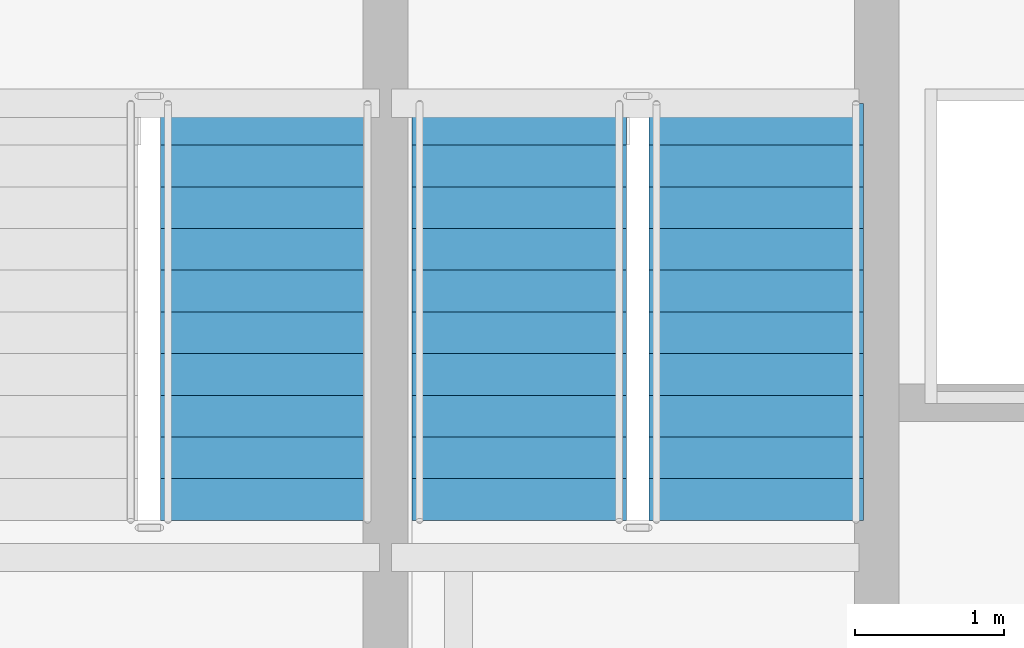
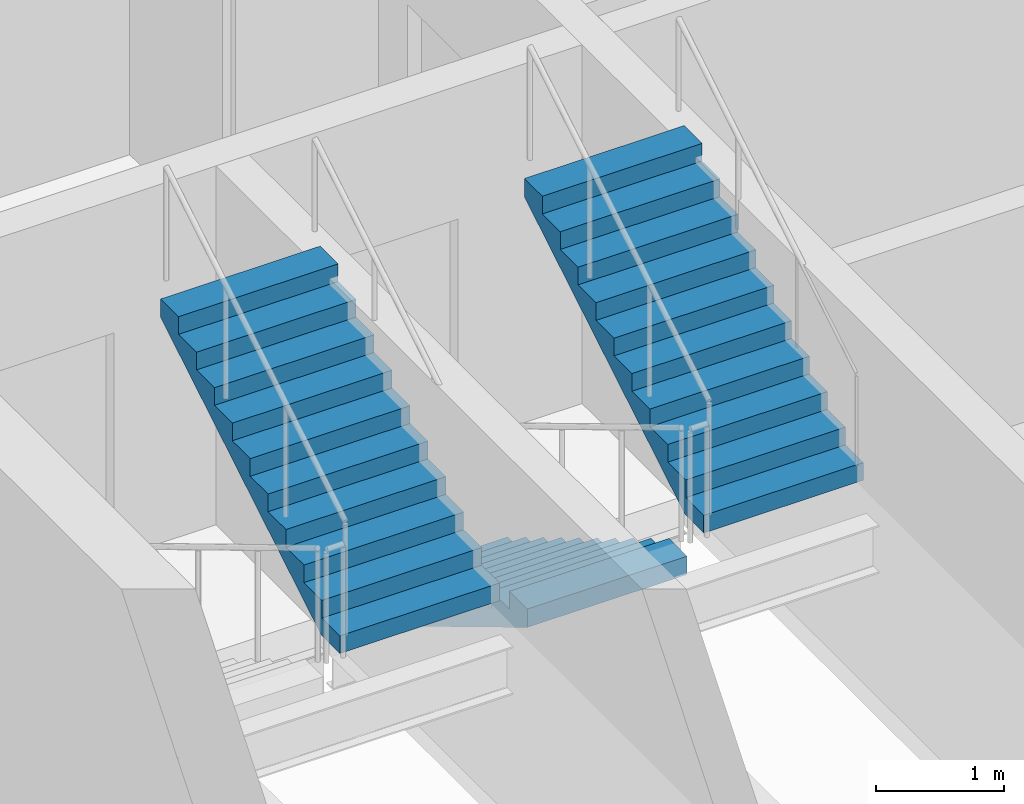
# One storey, part 24 of 29: 3 stair flights, 2 elements without a shape of their own.
"""IFC4 building model written with IfcOpenShell, lengths in metres."""

from ifc_helpers import new_model, si_unit, direction, frame, origin, place, context, subcontext, project, spatial, polyline, outline, extrude, material, layer, layer_set, type_object, element, aggregate, save


model = new_model("IFC4")

# Units and contexts
model_context = context("Model", 3, precision=1e-05, world=origin(), true_north=direction((0.0, 1.0)))
body_context = subcontext(model_context, "Body", "Model", "MODEL_VIEW")
ifc_project = project(units=[si_unit("LENGTHUNIT", "METRE"), si_unit("AREAUNIT", "SQUARE_METRE"), si_unit("VOLUMEUNIT", "CUBIC_METRE"), si_unit("PLANEANGLEUNIT", "RADIAN"), si_unit("MASSUNIT", "GRAM", prefix="KILO")], contexts=[model_context])

# Site, building, storey
site_placement = place(None, origin())
site = spatial("IfcSite", under=ifc_project, at=site_placement, CompositionType="ELEMENT")
building_placement = place(site_placement, origin())
building = spatial("IfcBuilding", under=site, at=building_placement, Name="Solvaryn Broadcast Tower", CompositionType="ELEMENT")
storey_placement = place(building_placement, frame((0.0, 0.0, 139.60009765625)))
storey = spatial("IfcBuildingStorey", under=building, at=storey_placement, Name="L34", CompositionType="ELEMENT", Elevation=139.60009765625)

# Stair, stair flight
ifc_material_1 = material(Name="Concrete f'c 60 MPa", Category="concrete")
stair_type = type_object("IfcStairType", Name="ST-CORE", PredefinedType="HALF_TURN_STAIR", material=ifc_material_1)
stair_1_placement = place(storey_placement, origin())
stair_1 = element("IfcStair", 1, at=stair_1_placement, inside=storey, type_object=stair_type, Name="L34 ST1", PredefinedType="HALF_TURN_STAIR")
ifc_material_2 = material(Name="Concrete f'c 60 MPa", Category="concrete")
ifc_layer = layer(ifc_material_2, 0.159912109375)
ifc_layer_set = layer_set([ifc_layer], Name="SF-CORE")
stair_flight_type = type_object("IfcStairFlightType", Name="SF-CORE", PredefinedType="STRAIGHT", material=ifc_layer_set)
stair_flight_1_placement = place(storey_placement, frame((13.830078125, 33.159912109375, 1.849853515625), z_axis=(0.0, 0.0, 1.0), x_axis=(0.0, 1.0, 0.0)))
stair_flight_1 = element("IfcStairFlight", 2, at=stair_flight_1_placement, type_object=stair_flight_type, Name="ST1 flight 2", NumberOfRisers=11, NumberOfTreads=10, PredefinedType="STRAIGHT", RiserHeight=0.168181818, TreadLength=0.28, context=body_context, shape_type="SweptSolid", body=[
    extrude(outline(polyline([(0.0, 0.0), (0.0, 0.168212890625), (0.280029296875, 0.168212890625), (0.280029296875, 0.33642578125), (0.56005859375, 0.33642578125), (0.56005859375, 0.504638671875), (0.840087890625, 0.504638671875), (0.840087890625, 0.672607421875), (1.1201171875, 0.672607421875), (1.1201171875, 0.8408203125), (1.39990234375, 0.8408203125), (1.39990234375, 1.009033203125), (1.679931640625, 1.009033203125), (1.679931640625, 1.17724609375), (1.9599609375, 1.17724609375), (1.9599609375, 1.345458984375), (2.239990234375, 1.345458984375), (2.239990234375, 1.513671875), (2.52001953125, 1.513671875), (2.52001953125, 1.681884765625), (2.800048828125, 1.681884765625), (2.800048828125, 1.85009765625), (2.800048828125, 1.5068359375), (0.291015625, 0.0), (0.0, 0.0)])), frame((0.0, 0.719970703125, 0.0), z_axis=(0.0, -1.0, 0.0), x_axis=(1.0, 0.0, 0.0)), (0.0, 0.0, 1.0), 1.43994140625),
])
aggregate(stair_1, [stair_flight_1])

# Stair, stair flights
stair_2_placement = place(storey_placement, origin())
stair_2 = element("IfcStair", 3, at=stair_2_placement, inside=storey, type_object=stair_type, Name="L34 ST2", PredefinedType="HALF_TURN_STAIR")
stair_flight_2_placement = place(storey_placement, frame((15.52001953125, 35.9599609375, 0.0), z_axis=(0.0, 0.0, 1.0), x_axis=(0.0, -1.0, 0.0)))
stair_flight_2 = element("IfcStairFlight", 4, at=stair_flight_2_placement, type_object=stair_flight_type, Name="ST2 flight 1", NumberOfRisers=11, NumberOfTreads=10, PredefinedType="STRAIGHT", RiserHeight=0.168181818, TreadLength=0.28, context=body_context, shape_type="SweptSolid", body=[
    extrude(outline(polyline([(0.0, 0.0), (0.0, 0.168212890625), (0.280029296875, 0.168212890625), (0.280029296875, 0.33642578125), (0.56005859375, 0.33642578125), (0.56005859375, 0.504638671875), (0.840087890625, 0.504638671875), (0.840087890625, 0.672607421875), (1.1201171875, 0.672607421875), (1.1201171875, 0.8408203125), (1.39990234375, 0.8408203125), (1.39990234375, 1.009033203125), (1.679931640625, 1.009033203125), (1.679931640625, 1.17724609375), (1.9599609375, 1.17724609375), (1.9599609375, 1.345458984375), (2.239990234375, 1.345458984375), (2.239990234375, 1.513671875), (2.52001953125, 1.513671875), (2.52001953125, 1.681884765625), (2.800048828125, 1.681884765625), (2.800048828125, 1.85009765625), (2.800048828125, 1.5068359375), (0.291015625, 0.0), (0.0, 0.0)])), frame((0.0, 0.719970703125, 0.0), z_axis=(0.0, -1.0, 0.0), x_axis=(1.0, 0.0, 0.0)), (0.0, 0.0, 1.0), 1.43994140625),
])
stair_flight_3_placement = place(storey_placement, frame((17.110107421875, 33.159912109375, 1.849853515625), z_axis=(0.0, 0.0, 1.0), x_axis=(0.0, 1.0, 0.0)))
stair_flight_3 = element("IfcStairFlight", 5, at=stair_flight_3_placement, type_object=stair_flight_type, Name="ST2 flight 2", NumberOfRisers=11, NumberOfTreads=10, PredefinedType="STRAIGHT", RiserHeight=0.168181818, TreadLength=0.28, context=body_context, shape_type="SweptSolid", body=[
    extrude(outline(polyline([(0.0, 0.0), (0.0, 0.168212890625), (0.280029296875, 0.168212890625), (0.280029296875, 0.33642578125), (0.56005859375, 0.33642578125), (0.56005859375, 0.504638671875), (0.840087890625, 0.504638671875), (0.840087890625, 0.672607421875), (1.1201171875, 0.672607421875), (1.1201171875, 0.8408203125), (1.39990234375, 0.8408203125), (1.39990234375, 1.009033203125), (1.679931640625, 1.009033203125), (1.679931640625, 1.17724609375), (1.9599609375, 1.17724609375), (1.9599609375, 1.345458984375), (2.239990234375, 1.345458984375), (2.239990234375, 1.513671875), (2.52001953125, 1.513671875), (2.52001953125, 1.681884765625), (2.800048828125, 1.681884765625), (2.800048828125, 1.85009765625), (2.800048828125, 1.5068359375), (0.291015625, 0.0), (0.0, 0.0)])), frame((0.0, 0.719970703125, 0.0), z_axis=(0.0, -1.0, 0.0), x_axis=(1.0, 0.0, 0.0)), (0.0, 0.0, 1.0), 1.43994140625),
])
aggregate(stair_2, [stair_flight_2, stair_flight_3])

save(model, "model.ifc")
